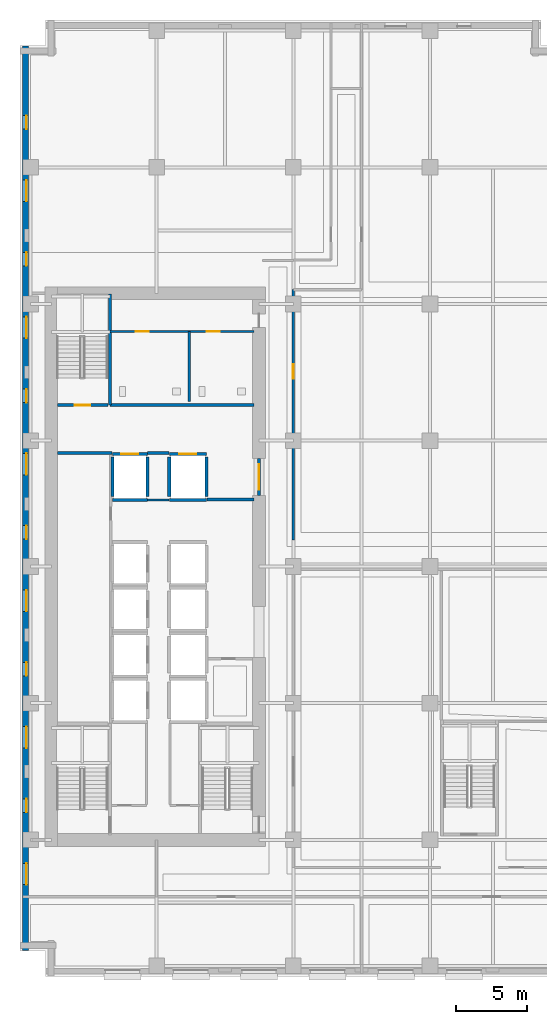
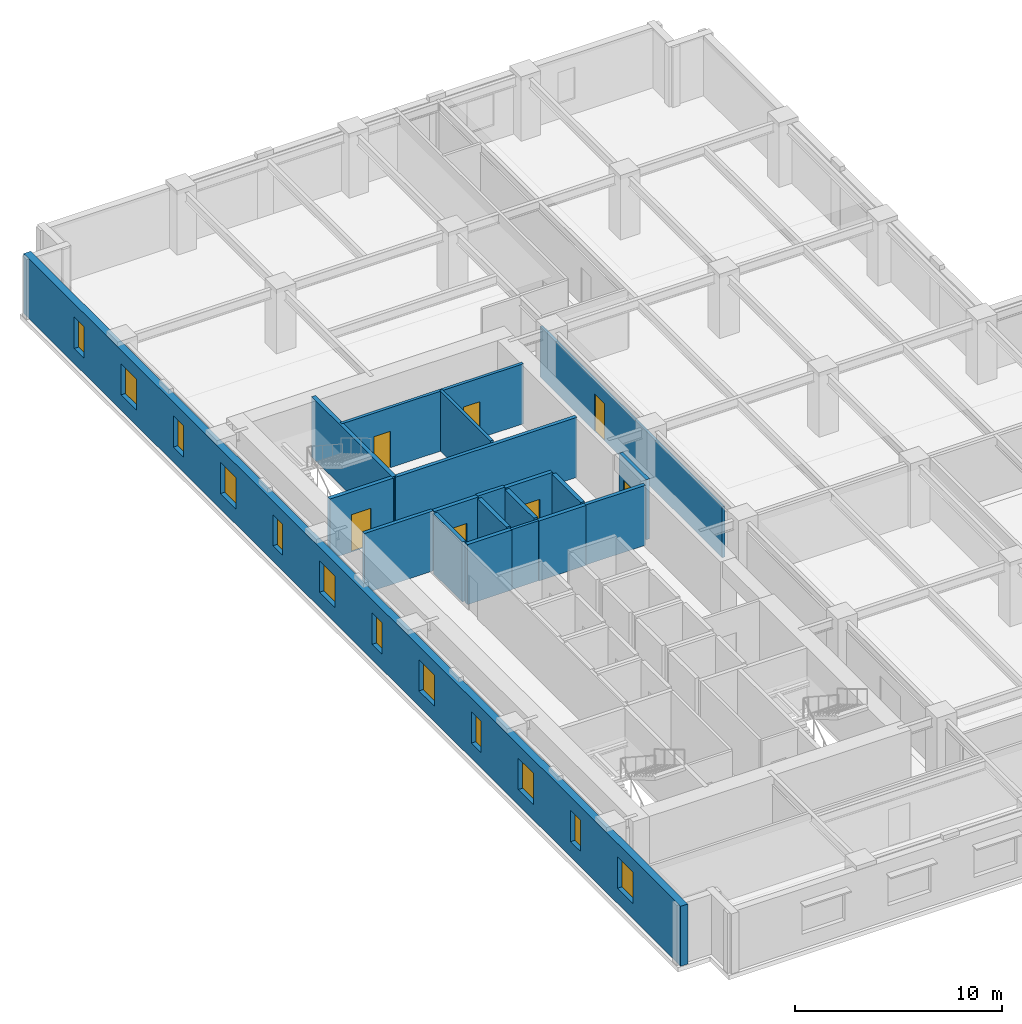
# One storey, part 6 of 14: 20 walls, 12 windows, 7 doors, 19 openings.
"""IFC4 building model written with IfcOpenShell, lengths in metres."""

from ifc_helpers import new_model, si_unit, direction, frame, frame_2d, origin, place, context, subcontext, project, spatial, rectangle, extrude, material, layer, layer_set, type_object, element, fill, save


model = new_model("IFC4")

# Units and contexts
model_context = context("Model", 3, precision=1e-05, world=origin(), true_north=direction((0.0, 1.0)))
body_context = subcontext(model_context, "Body", "Model", "MODEL_VIEW")
ifc_project = project(units=[si_unit("LENGTHUNIT", "METRE"), si_unit("AREAUNIT", "SQUARE_METRE"), si_unit("VOLUMEUNIT", "CUBIC_METRE"), si_unit("PLANEANGLEUNIT", "RADIAN"), si_unit("MASSUNIT", "GRAM", prefix="KILO")], contexts=[model_context])

# Site, building, storey
site_placement = place(None, origin())
site = spatial("IfcSite", under=ifc_project, at=site_placement, CompositionType="ELEMENT")
building_placement = place(site_placement, origin())
building = spatial("IfcBuilding", under=site, at=building_placement, Name="Norrvale University Quadrangle", CompositionType="ELEMENT")
storey_placement = place(building_placement, frame((0.0, 0.0, 73.60009765625)))
storey = spatial("IfcBuildingStorey", under=building, at=storey_placement, Name="L18", CompositionType="ELEMENT", Elevation=73.60009765625)

# Wall
ifc_material_1 = material(Name="Fire-Rated Gypsum Stud Partition")
ifc_layer_1 = layer(ifc_material_1, 0.14990234375, Name="Fire-Rated Gypsum Stud Partition")
ifc_layer_set_1 = layer_set([ifc_layer_1], Name="Fire-Rated Gypsum Stud Partition")
wall_type_1 = type_object("IfcWallType", Name="Wall Gypsum Corridor 150", PredefinedType="PARTITIONING", material=ifc_layer_set_1)
wall_1_placement = place(storey_placement, frame((8.965087890625, 33.489990234375, 0.0), z_axis=(0.0, 0.0, 1.0), x_axis=(1.0, 0.0, 0.0)))
element("IfcWall", 1, at=wall_1_placement, inside=storey, type_object=wall_type_1, Name="Interior Partition WL-L18-LL3", PredefinedType="PARTITIONING", context=body_context, shape_type="SweptSolid", body=[
    extrude(rectangle(XDim=1.52001953125, YDim=0.14990234375, at=frame_2d((0.760009765625, 0.0))), origin(), (0.0, 0.0, 1.0), 3.539794921875),
])

# Wall, opening, door
wall_2_placement = place(storey_placement, frame((19.199951171875, 30.64990234375, 0.0), z_axis=(0.0, 0.0, 1.0), x_axis=(0.0, 1.0, 0.0)))
wall_2 = element("IfcWall", 2, at=wall_2_placement, inside=storey, type_object=wall_type_1, Name="Interior Partition WL-L18-MNECW", PredefinedType="PARTITIONING", context=body_context, shape_type="SweptSolid", body=[
    extrude(rectangle(XDim=17.60009765625, YDim=0.14990234375, at=frame_2d((8.800048828125, 0.0))), origin(), (0.0, 0.0, 1.0), 2.995849609375),
])
opening_1_placement = place(wall_2_placement, frame((11.35009765625, 0.0, 0.0)))
opening_1 = element("IfcOpeningElement", 3, at=opening_1_placement, cuts=wall_2, Name="Opening D04", PredefinedType="OPENING", context=body_context, shape_type="SweptSolid", body=[
    extrude(rectangle(XDim=1.0, YDim=2.199951171875, at=frame_2d((0.5, 1.10009765625))), frame((0.0, 0.0869140625, 0.0), z_axis=(0.0, -1.0, 0.0), x_axis=(1.0, 0.0, 0.0)), (0.0, 0.0, 1.0), 0.173828125),
])
ifc_material_2 = material(Name="Solid-Core Oak Fire Door", Category="wood")
door_type_1 = type_object("IfcDoorType", Name="Door Corridor 1000x2200", OperationType="NOTDEFINED", PredefinedType="DOOR", material=ifc_material_2)
door_1_placement = place(opening_1_placement, origin())
door_1 = element("IfcDoor", 4, at=door_1_placement, inside=storey, type_object=door_type_1, Name="Door Corridor 1000x2200 DR-L18-MNE01", OperationType="SINGLE_SWING_RIGHT", OverallHeight=2.199951171875, OverallWidth=1.0, PredefinedType="DOOR", context=body_context, shape_type="SweptSolid", body=[
    extrude(rectangle(XDim=1.0, YDim=2.199951171875, at=frame_2d((0.5, 1.10009765625))), frame((0.0, 0.02490234375, 0.0), z_axis=(0.0, -1.0, 0.0), x_axis=(1.0, 0.0, 0.0)), (0.0, 0.0, 1.0), 0.050048828125),
])
fill(opening_1, door_1)

# Wall, openings, doors
ifc_material_3 = material(Name="Sanitary Chase Gypsum Partition")
ifc_layer_2 = layer(ifc_material_3, 0.1650390625, Name="Sanitary Chase Gypsum Partition")
ifc_layer_set_2 = layer_set([ifc_layer_2], Name="Sanitary Chase Gypsum Partition")
wall_type_2 = type_object("IfcWallType", Name="Wall Gypsum Sanitary 165", PredefinedType="PLUMBINGWALL", material=ifc_layer_set_2)
wall_3_placement = place(storey_placement, frame((6.320068359375, 45.320068359375, 0.0), z_axis=(0.0, 0.0, 1.0), x_axis=(1.0, 0.0, 0.0)))
wall_3 = element("IfcWall", 5, at=wall_3_placement, inside=storey, type_object=wall_type_2, Name="Interior Partition WL-L18-WCN", PredefinedType="PLUMBINGWALL", context=body_context, shape_type="SweptSolid", body=[
    extrude(rectangle(XDim=10.1298828125, YDim=0.1650390625, at=frame_2d((5.06494140625, 0.0))), origin(), (0.0, 0.0, 1.0), 3.539794921875),
])
opening_2_placement = place(wall_3_placement, frame((1.800048828125, 0.0, 0.0)))
opening_2 = element("IfcOpeningElement", 6, at=opening_2_placement, cuts=wall_3, Name="Opening D08", PredefinedType="OPENING", context=body_context, shape_type="SweptSolid", body=[
    extrude(rectangle(XDim=0.919921875, YDim=2.14990234375, at=frame_2d((0.4599609375, 1.074951171875))), frame((0.0, 0.094482421875, 0.0), z_axis=(0.0, -1.0, 0.0), x_axis=(1.0, 0.0, 0.0)), (0.0, 0.0, 1.0), 0.18896484375),
])
opening_3_placement = place(wall_3_placement, frame((6.800048828125, 0.0, 0.0)))
opening_3 = element("IfcOpeningElement", 7, at=opening_3_placement, cuts=wall_3, Name="Opening D08", PredefinedType="OPENING", context=body_context, shape_type="SweptSolid", body=[
    extrude(rectangle(XDim=0.919921875, YDim=2.14990234375, at=frame_2d((0.4599609375, 1.074951171875))), frame((0.0, 0.094482421875, 0.0), z_axis=(0.0, -1.0, 0.0), x_axis=(1.0, 0.0, 0.0)), (0.0, 0.0, 1.0), 0.18896484375),
])
ifc_material_4 = material(Name="Laminate Washroom Door", Category="wood")
door_type_2 = type_object("IfcDoorType", Name="Door Washroom 920x2150", OperationType="NOTDEFINED", PredefinedType="DOOR", material=ifc_material_4)
door_2_placement = place(opening_2_placement, origin())
door_2 = element("IfcDoor", 8, at=door_2_placement, inside=storey, type_object=door_type_2, Name="Door Washroom 920x2150 DR-L18-WC1", OperationType="SINGLE_SWING_LEFT", OverallHeight=2.14990234375, OverallWidth=0.919921875, PredefinedType="DOOR", context=body_context, shape_type="SweptSolid", body=[
    extrude(rectangle(XDim=0.919921875, YDim=2.14990234375, at=frame_2d((0.4599609375, 1.074951171875))), frame((0.0, 0.02490234375, 0.0), z_axis=(0.0, -1.0, 0.0), x_axis=(1.0, 0.0, 0.0)), (0.0, 0.0, 1.0), 0.050048828125),
])
fill(opening_2, door_2)
door_3_placement = place(opening_3_placement, origin())
door_3 = element("IfcDoor", 9, at=door_3_placement, inside=storey, type_object=door_type_2, Name="Door Washroom 920x2150 DR-L18-WC2", OperationType="SINGLE_SWING_RIGHT", OverallHeight=2.14990234375, OverallWidth=0.919921875, PredefinedType="DOOR", context=body_context, shape_type="SweptSolid", body=[
    extrude(rectangle(XDim=0.919921875, YDim=2.14990234375, at=frame_2d((0.4599609375, 1.074951171875))), frame((0.0, 0.02490234375, 0.0), z_axis=(0.0, -1.0, 0.0), x_axis=(1.0, 0.0, 0.0)), (0.0, 0.0, 1.0), 0.050048828125),
])
fill(opening_3, door_3)

# Walls
wall_4_placement = place(storey_placement, frame((11.89990234375, 40.39990234375, 0.0), z_axis=(0.0, 0.0, 1.0), x_axis=(0.0, 1.0, 0.0)))
element("IfcWall", 10, at=wall_4_placement, inside=storey, type_object=wall_type_2, Name="Interior Partition WL-L18-WCM1", PredefinedType="PLUMBINGWALL", context=body_context, shape_type="SweptSolid", body=[
    extrude(rectangle(XDim=4.920166015625, YDim=0.1650390625, at=frame_2d((2.4599609375, 0.0))), origin(), (0.0, 0.0, 1.0), 3.539794921875),
])
ifc_material_5 = material(Name="Concrete Blockwork 20 MPa Rated Wall", Category="masonry")
ifc_layer_3 = layer(ifc_material_5, 0.199951171875, Name="Concrete Blockwork 20 MPa Rated Wall")
ifc_layer_set_3 = layer_set([ifc_layer_3], Name="Concrete Blockwork 20 MPa Rated Wall")
wall_type_3 = type_object("IfcWallType", Name="Wall Lobby 200", PredefinedType="SOLIDWALL", material=ifc_layer_set_3)
wall_5_placement = place(storey_placement, frame((2.64990234375, 36.780029296875, 0.0), z_axis=(0.0, 0.0, 1.0), x_axis=(1.0, 0.0, 0.0)))
element("IfcWall", 11, at=wall_5_placement, inside=storey, type_object=wall_type_3, Name="Interior Partition WL-L18-FF1", PredefinedType="SOLIDWALL", context=body_context, shape_type="SweptSolid", body=[
    extrude(rectangle(XDim=3.830078125, YDim=0.199951171875, at=frame_2d((1.9150390625, 0.0))), origin(), (0.0, 0.0, 1.0), 3.539794921875),
])
wall_6_placement = place(storey_placement, frame((8.969970703125, 36.780029296875, 0.0), z_axis=(0.0, 0.0, 1.0), x_axis=(1.0, 0.0, 0.0)))
element("IfcWall", 12, at=wall_6_placement, inside=storey, type_object=wall_type_3, Name="Interior Partition WL-L18-FF2", PredefinedType="SOLIDWALL", context=body_context, shape_type="SweptSolid", body=[
    extrude(rectangle(XDim=1.510009765625, YDim=0.199951171875, at=frame_2d((0.7548828125, 0.0))), origin(), (0.0, 0.0, 1.0), 3.539794921875),
])
wall_7_placement = place(storey_placement, frame((13.1201171875, 33.52001953125, 0.0), z_axis=(0.0, 0.0, 1.0), x_axis=(1.0, 0.0, 0.0)))
element("IfcWall", 13, at=wall_7_placement, inside=storey, type_object=wall_type_3, Name="Interior Partition WL-L18-FF3", PredefinedType="SOLIDWALL", context=body_context, shape_type="SweptSolid", body=[
    extrude(rectangle(XDim=3.329833984375, YDim=0.199951171875, at=frame_2d((1.6650390625, 0.0))), origin(), (0.0, 0.0, 1.0), 3.539794921875),
])
wall_8_placement = place(storey_placement, frame((6.320068359375, 40.139892578125, 0.0), z_axis=(0.0, 0.0, 1.0), x_axis=(1.0, 0.0, 0.0)))
element("IfcWall", 14, at=wall_8_placement, inside=storey, type_object=wall_type_3, Name="Interior Partition WL-L18-FF4", PredefinedType="SOLIDWALL", context=body_context, shape_type="SweptSolid", body=[
    extrude(rectangle(XDim=10.1298828125, YDim=0.199951171875, at=frame_2d((5.06494140625, 0.0))), origin(), (0.0, 0.0, 1.0), 3.539794921875),
])

# Wall, opening, door
wall_9_placement = place(storey_placement, frame((16.800048828125, 33.800048828125, 0.0), z_axis=(0.0, 0.0, 1.0), x_axis=(0.0, 1.0, 0.0)))
wall_9 = element("IfcWall", 15, at=wall_9_placement, inside=storey, type_object=wall_type_3, Name="Interior Partition WL-L18-FFP", PredefinedType="SOLIDWALL", context=body_context, shape_type="SweptSolid", body=[
    extrude(rectangle(XDim=2.599853515625, YDim=0.199951171875, at=frame_2d((1.2998046875, 0.0))), origin(), (0.0, 0.0, 1.0), 3.539794921875),
])
opening_4_placement = place(wall_9_placement, frame((0.39990234375, 0.0, 0.0)))
opening_4 = element("IfcOpeningElement", 16, at=opening_4_placement, cuts=wall_9, Name="Opening D03", PredefinedType="OPENING", context=body_context, shape_type="SweptSolid", body=[
    extrude(rectangle(XDim=1.800048828125, YDim=2.199951171875, at=frame_2d((0.89990234375, 1.10009765625))), frame((0.0, 0.112060546875, 0.0), z_axis=(0.0, -1.0, 0.0), x_axis=(1.0, 0.0, 0.0)), (0.0, 0.0, 1.0), 0.223876953125),
])
ifc_material_6 = material(Name="Hollow Steel 350W Fire Door", Category="steel")
door_type_3 = type_object("IfcDoorType", Name="Door Fire Lobby 1800x2200", OperationType="DOUBLE_DOOR_SINGLE_SWING", PredefinedType="DOOR", material=ifc_material_6)
door_4_placement = place(opening_4_placement, origin())
door_4 = element("IfcDoor", 17, at=door_4_placement, inside=storey, type_object=door_type_3, Name="Door Fire Lobby 1800x2200 DR-L18-FFP", OperationType="DOUBLE_DOOR_SINGLE_SWING", OverallHeight=2.199951171875, OverallWidth=1.800048828125, PredefinedType="DOOR", context=body_context, shape_type="SweptSolid", body=[
    extrude(rectangle(XDim=1.800048828125, YDim=2.199951171875, at=frame_2d((0.89990234375, 1.10009765625))), frame((0.0, 0.02490234375, 0.0), z_axis=(0.0, -1.0, 0.0), x_axis=(1.0, 0.0, 0.0)), (0.0, 0.0, 1.0), 0.050048828125),
])
fill(opening_4, door_4)

# Wall, openings, windows
ifc_material_7 = material(Name="Red Manganese Brick Masonry", Category="masonry")
ifc_layer_4 = layer(ifc_material_7, 0.39990234375, Name="Red Manganese Brick Masonry")
ifc_layer_set_4 = layer_set([ifc_layer_4], Name="Red Manganese Brick Masonry")
wall_type_4 = type_object("IfcWallType", Name="Wall Red Brick 400", PredefinedType="SOLIDWALL", material=ifc_layer_set_4)
wall_10_placement = place(storey_placement, frame((0.3798828125, 65.360107421875, 0.0), z_axis=(0.0, 0.0, 1.0), x_axis=(0.0, -1.0, 0.0)))
wall_10 = element("IfcWall", 18, at=wall_10_placement, inside=storey, type_object=wall_type_4, Name="Exterior Brick Facade Wall L18-14.1", PredefinedType="SOLIDWALL", context=body_context, shape_type="SweptSolid", body=[
    extrude(rectangle(XDim=63.52001953125, YDim=0.39990234375, at=frame_2d((31.760009765625, 0.0))), origin(), (0.0, 0.0, 1.0), 3.539794921875),
])
opening_5_placement = place(wall_10_placement, frame((4.885009765625, 0.0, 0.89990234375)))
opening_5 = element("IfcOpeningElement", 19, at=opening_5_placement, cuts=wall_10, Name="Opening W04", PredefinedType="OPENING", context=body_context, shape_type="SweptSolid", body=[
    extrude(rectangle(XDim=0.949951171875, YDim=1.85009765625, at=frame_2d((0.47509765625, 0.925048828125))), frame((0.0, 0.2119140625, 0.0), z_axis=(0.0, -1.0, 0.0), x_axis=(1.0, 0.0, 0.0)), (0.0, 0.0, 1.0), 0.423828125),
])
opening_6_placement = place(wall_10_placement, frame((9.409912109375, 0.0, 0.89990234375)))
opening_6 = element("IfcOpeningElement", 20, at=opening_6_placement, cuts=wall_10, Name="Opening W03", PredefinedType="OPENING", context=body_context, shape_type="SweptSolid", body=[
    extrude(rectangle(XDim=1.5, YDim=1.85009765625, at=frame_2d((0.75, 0.925048828125))), frame((0.0, 0.2119140625, 0.0), z_axis=(0.0, -1.0, 0.0), x_axis=(1.0, 0.0, 0.0)), (0.0, 0.0, 1.0), 0.423828125),
])
opening_7_placement = place(wall_10_placement, frame((14.485107421875, 0.0, 0.89990234375)))
opening_7 = element("IfcOpeningElement", 21, at=opening_7_placement, cuts=wall_10, Name="Opening W04", PredefinedType="OPENING", context=body_context, shape_type="SweptSolid", body=[
    extrude(rectangle(XDim=0.949951171875, YDim=1.85009765625, at=frame_2d((0.47509765625, 0.925048828125))), frame((0.0, 0.2119140625, 0.0), z_axis=(0.0, -1.0, 0.0), x_axis=(1.0, 0.0, 0.0)), (0.0, 0.0, 1.0), 0.423828125),
])
opening_8_placement = place(wall_10_placement, frame((19.010009765625, 0.0, 0.89990234375)))
opening_8 = element("IfcOpeningElement", 22, at=opening_8_placement, cuts=wall_10, Name="Opening W03", PredefinedType="OPENING", context=body_context, shape_type="SweptSolid", body=[
    extrude(rectangle(XDim=1.5, YDim=1.85009765625, at=frame_2d((0.75, 0.925048828125))), frame((0.0, 0.2119140625, 0.0), z_axis=(0.0, -1.0, 0.0), x_axis=(1.0, 0.0, 0.0)), (0.0, 0.0, 1.0), 0.423828125),
])
opening_9_placement = place(wall_10_placement, frame((24.0849609375, 0.0, 0.89990234375)))
opening_9 = element("IfcOpeningElement", 23, at=opening_9_placement, cuts=wall_10, Name="Opening W04", PredefinedType="OPENING", context=body_context, shape_type="SweptSolid", body=[
    extrude(rectangle(XDim=0.949951171875, YDim=1.85009765625, at=frame_2d((0.47509765625, 0.925048828125))), frame((0.0, 0.2119140625, 0.0), z_axis=(0.0, -1.0, 0.0), x_axis=(1.0, 0.0, 0.0)), (0.0, 0.0, 1.0), 0.423828125),
])
opening_10_placement = place(wall_10_placement, frame((28.610107421875, 0.0, 0.89990234375)))
opening_10 = element("IfcOpeningElement", 24, at=opening_10_placement, cuts=wall_10, Name="Opening W03", PredefinedType="OPENING", context=body_context, shape_type="SweptSolid", body=[
    extrude(rectangle(XDim=1.5, YDim=1.85009765625, at=frame_2d((0.75, 0.925048828125))), frame((0.0, 0.2119140625, 0.0), z_axis=(0.0, -1.0, 0.0), x_axis=(1.0, 0.0, 0.0)), (0.0, 0.0, 1.0), 0.423828125),
])
opening_11_placement = place(wall_10_placement, frame((33.68505859375, 0.0, 0.89990234375)))
opening_11 = element("IfcOpeningElement", 25, at=opening_11_placement, cuts=wall_10, Name="Opening W04", PredefinedType="OPENING", context=body_context, shape_type="SweptSolid", body=[
    extrude(rectangle(XDim=0.949951171875, YDim=1.85009765625, at=frame_2d((0.47509765625, 0.925048828125))), frame((0.0, 0.2119140625, 0.0), z_axis=(0.0, -1.0, 0.0), x_axis=(1.0, 0.0, 0.0)), (0.0, 0.0, 1.0), 0.423828125),
])
opening_12_placement = place(wall_10_placement, frame((38.2099609375, 0.0, 0.89990234375)))
opening_12 = element("IfcOpeningElement", 26, at=opening_12_placement, cuts=wall_10, Name="Opening W03", PredefinedType="OPENING", context=body_context, shape_type="SweptSolid", body=[
    extrude(rectangle(XDim=1.5, YDim=1.85009765625, at=frame_2d((0.75, 0.925048828125))), frame((0.0, 0.2119140625, 0.0), z_axis=(0.0, -1.0, 0.0), x_axis=(1.0, 0.0, 0.0)), (0.0, 0.0, 1.0), 0.423828125),
])
opening_13_placement = place(wall_10_placement, frame((43.284912109375, 0.0, 0.89990234375)))
opening_13 = element("IfcOpeningElement", 27, at=opening_13_placement, cuts=wall_10, Name="Opening W04", PredefinedType="OPENING", context=body_context, shape_type="SweptSolid", body=[
    extrude(rectangle(XDim=0.949951171875, YDim=1.85009765625, at=frame_2d((0.47509765625, 0.925048828125))), frame((0.0, 0.2119140625, 0.0), z_axis=(0.0, -1.0, 0.0), x_axis=(1.0, 0.0, 0.0)), (0.0, 0.0, 1.0), 0.423828125),
])
opening_14_placement = place(wall_10_placement, frame((47.81005859375, 0.0, 0.89990234375)))
opening_14 = element("IfcOpeningElement", 28, at=opening_14_placement, cuts=wall_10, Name="Opening W03", PredefinedType="OPENING", context=body_context, shape_type="SweptSolid", body=[
    extrude(rectangle(XDim=1.5, YDim=1.85009765625, at=frame_2d((0.75, 0.925048828125))), frame((0.0, 0.2119140625, 0.0), z_axis=(0.0, -1.0, 0.0), x_axis=(1.0, 0.0, 0.0)), (0.0, 0.0, 1.0), 0.423828125),
])
opening_15_placement = place(wall_10_placement, frame((52.885009765625, 0.0, 0.89990234375)))
opening_15 = element("IfcOpeningElement", 29, at=opening_15_placement, cuts=wall_10, Name="Opening W04", PredefinedType="OPENING", context=body_context, shape_type="SweptSolid", body=[
    extrude(rectangle(XDim=0.949951171875, YDim=1.85009765625, at=frame_2d((0.47509765625, 0.925048828125))), frame((0.0, 0.2119140625, 0.0), z_axis=(0.0, -1.0, 0.0), x_axis=(1.0, 0.0, 0.0)), (0.0, 0.0, 1.0), 0.423828125),
])
opening_16_placement = place(wall_10_placement, frame((57.409912109375, 0.0, 0.89990234375)))
opening_16 = element("IfcOpeningElement", 30, at=opening_16_placement, cuts=wall_10, Name="Opening W03", PredefinedType="OPENING", context=body_context, shape_type="SweptSolid", body=[
    extrude(rectangle(XDim=1.5, YDim=1.85009765625, at=frame_2d((0.75, 0.925048828125))), frame((0.0, 0.2119140625, 0.0), z_axis=(0.0, -1.0, 0.0), x_axis=(1.0, 0.0, 0.0)), (0.0, 0.0, 1.0), 0.423828125),
])
ifc_material_8 = material(Name="Triple Low-E Argon Glazing", Category="glass")
window_type_1 = type_object("IfcWindowType", Name="Window Narrow Pier 950x2300", PartitioningType="SINGLE_PANEL", PredefinedType="WINDOW", material=ifc_material_8)
window_1_placement = place(opening_5_placement, origin())
window_1 = element("IfcWindow", 31, at=window_1_placement, inside=storey, type_object=window_type_1, Name="Window Narrow Pier 950x2300 WIN-L18-E14-1-01", OverallHeight=1.85009765625, OverallWidth=0.949951171875, PartitioningType="SINGLE_PANEL", PredefinedType="WINDOW", context=body_context, shape_type="SweptSolid", body=[
    extrude(rectangle(XDim=0.949951171875, YDim=1.85009765625, at=frame_2d((0.47509765625, 0.925048828125))), frame((0.0, 0.110107421875, 0.0), z_axis=(0.0, -1.0, 0.0), x_axis=(1.0, 0.0, 0.0)), (0.0, 0.0, 1.0), 0.06005859375),
])
fill(opening_5, window_1)
window_2_placement = place(opening_7_placement, origin())
window_2 = element("IfcWindow", 32, at=window_2_placement, inside=storey, type_object=window_type_1, Name="Window Narrow Pier 950x2300 WIN-L18-E14-1-03", OverallHeight=1.85009765625, OverallWidth=0.949951171875, PartitioningType="SINGLE_PANEL", PredefinedType="WINDOW", context=body_context, shape_type="SweptSolid", body=[
    extrude(rectangle(XDim=0.949951171875, YDim=1.85009765625, at=frame_2d((0.47509765625, 0.925048828125))), frame((0.0, 0.110107421875, 0.0), z_axis=(0.0, -1.0, 0.0), x_axis=(1.0, 0.0, 0.0)), (0.0, 0.0, 1.0), 0.06005859375),
])
fill(opening_7, window_2)
window_3_placement = place(opening_9_placement, origin())
window_3 = element("IfcWindow", 33, at=window_3_placement, inside=storey, type_object=window_type_1, Name="Window Narrow Pier 950x2300 WIN-L18-E14-1-05", OverallHeight=1.85009765625, OverallWidth=0.949951171875, PartitioningType="SINGLE_PANEL", PredefinedType="WINDOW", context=body_context, shape_type="SweptSolid", body=[
    extrude(rectangle(XDim=0.949951171875, YDim=1.85009765625, at=frame_2d((0.47509765625, 0.925048828125))), frame((0.0, 0.110107421875, 0.0), z_axis=(0.0, -1.0, 0.0), x_axis=(1.0, 0.0, 0.0)), (0.0, 0.0, 1.0), 0.06005859375),
])
fill(opening_9, window_3)
window_4_placement = place(opening_11_placement, origin())
window_4 = element("IfcWindow", 34, at=window_4_placement, inside=storey, type_object=window_type_1, Name="Window Narrow Pier 950x2300 WIN-L18-E14-1-07", OverallHeight=1.85009765625, OverallWidth=0.949951171875, PartitioningType="SINGLE_PANEL", PredefinedType="WINDOW", context=body_context, shape_type="SweptSolid", body=[
    extrude(rectangle(XDim=0.949951171875, YDim=1.85009765625, at=frame_2d((0.47509765625, 0.925048828125))), frame((0.0, 0.110107421875, 0.0), z_axis=(0.0, -1.0, 0.0), x_axis=(1.0, 0.0, 0.0)), (0.0, 0.0, 1.0), 0.06005859375),
])
fill(opening_11, window_4)
window_5_placement = place(opening_13_placement, origin())
window_5 = element("IfcWindow", 35, at=window_5_placement, inside=storey, type_object=window_type_1, Name="Window Narrow Pier 950x2300 WIN-L18-E14-1-09", OverallHeight=1.85009765625, OverallWidth=0.949951171875, PartitioningType="SINGLE_PANEL", PredefinedType="WINDOW", context=body_context, shape_type="SweptSolid", body=[
    extrude(rectangle(XDim=0.949951171875, YDim=1.85009765625, at=frame_2d((0.47509765625, 0.925048828125))), frame((0.0, 0.110107421875, 0.0), z_axis=(0.0, -1.0, 0.0), x_axis=(1.0, 0.0, 0.0)), (0.0, 0.0, 1.0), 0.06005859375),
])
fill(opening_13, window_5)
window_6_placement = place(opening_15_placement, origin())
window_6 = element("IfcWindow", 36, at=window_6_placement, inside=storey, type_object=window_type_1, Name="Window Narrow Pier 950x2300 WIN-L18-E14-1-11", OverallHeight=1.85009765625, OverallWidth=0.949951171875, PartitioningType="SINGLE_PANEL", PredefinedType="WINDOW", context=body_context, shape_type="SweptSolid", body=[
    extrude(rectangle(XDim=0.949951171875, YDim=1.85009765625, at=frame_2d((0.47509765625, 0.925048828125))), frame((0.0, 0.110107421875, 0.0), z_axis=(0.0, -1.0, 0.0), x_axis=(1.0, 0.0, 0.0)), (0.0, 0.0, 1.0), 0.06005859375),
])
fill(opening_15, window_6)
window_type_2 = type_object("IfcWindowType", Name="Window Studio 1500x2300", PartitioningType="DOUBLE_PANEL_VERTICAL", PredefinedType="WINDOW", material=ifc_material_8)
window_7_placement = place(opening_6_placement, origin())
window_7 = element("IfcWindow", 37, at=window_7_placement, inside=storey, type_object=window_type_2, Name="Window Studio 1500x2300 WIN-L18-E14-1-02", OverallHeight=1.85009765625, OverallWidth=1.5, PartitioningType="DOUBLE_PANEL_VERTICAL", PredefinedType="WINDOW", context=body_context, shape_type="SweptSolid", body=[
    extrude(rectangle(XDim=1.5, YDim=1.85009765625, at=frame_2d((0.75, 0.925048828125))), frame((0.0, 0.110107421875, 0.0), z_axis=(0.0, -1.0, 0.0), x_axis=(1.0, 0.0, 0.0)), (0.0, 0.0, 1.0), 0.06005859375),
])
fill(opening_6, window_7)
window_8_placement = place(opening_8_placement, origin())
window_8 = element("IfcWindow", 38, at=window_8_placement, inside=storey, type_object=window_type_2, Name="Window Studio 1500x2300 WIN-L18-E14-1-04", OverallHeight=1.85009765625, OverallWidth=1.5, PartitioningType="DOUBLE_PANEL_VERTICAL", PredefinedType="WINDOW", context=body_context, shape_type="SweptSolid", body=[
    extrude(rectangle(XDim=1.5, YDim=1.85009765625, at=frame_2d((0.75, 0.925048828125))), frame((0.0, 0.110107421875, 0.0), z_axis=(0.0, -1.0, 0.0), x_axis=(1.0, 0.0, 0.0)), (0.0, 0.0, 1.0), 0.06005859375),
])
fill(opening_8, window_8)
window_9_placement = place(opening_10_placement, origin())
window_9 = element("IfcWindow", 39, at=window_9_placement, inside=storey, type_object=window_type_2, Name="Window Studio 1500x2300 WIN-L18-E14-1-06", OverallHeight=1.85009765625, OverallWidth=1.5, PartitioningType="DOUBLE_PANEL_VERTICAL", PredefinedType="WINDOW", context=body_context, shape_type="SweptSolid", body=[
    extrude(rectangle(XDim=1.5, YDim=1.85009765625, at=frame_2d((0.75, 0.925048828125))), frame((0.0, 0.110107421875, 0.0), z_axis=(0.0, -1.0, 0.0), x_axis=(1.0, 0.0, 0.0)), (0.0, 0.0, 1.0), 0.06005859375),
])
fill(opening_10, window_9)
window_10_placement = place(opening_12_placement, origin())
window_10 = element("IfcWindow", 40, at=window_10_placement, inside=storey, type_object=window_type_2, Name="Window Studio 1500x2300 WIN-L18-E14-1-08", OverallHeight=1.85009765625, OverallWidth=1.5, PartitioningType="DOUBLE_PANEL_VERTICAL", PredefinedType="WINDOW", context=body_context, shape_type="SweptSolid", body=[
    extrude(rectangle(XDim=1.5, YDim=1.85009765625, at=frame_2d((0.75, 0.925048828125))), frame((0.0, 0.110107421875, 0.0), z_axis=(0.0, -1.0, 0.0), x_axis=(1.0, 0.0, 0.0)), (0.0, 0.0, 1.0), 0.06005859375),
])
fill(opening_12, window_10)
window_11_placement = place(opening_14_placement, origin())
window_11 = element("IfcWindow", 41, at=window_11_placement, inside=storey, type_object=window_type_2, Name="Window Studio 1500x2300 WIN-L18-E14-1-10", OverallHeight=1.85009765625, OverallWidth=1.5, PartitioningType="DOUBLE_PANEL_VERTICAL", PredefinedType="WINDOW", context=body_context, shape_type="SweptSolid", body=[
    extrude(rectangle(XDim=1.5, YDim=1.85009765625, at=frame_2d((0.75, 0.925048828125))), frame((0.0, 0.110107421875, 0.0), z_axis=(0.0, -1.0, 0.0), x_axis=(1.0, 0.0, 0.0)), (0.0, 0.0, 1.0), 0.06005859375),
])
fill(opening_14, window_11)
window_12_placement = place(opening_16_placement, origin())
window_12 = element("IfcWindow", 42, at=window_12_placement, inside=storey, type_object=window_type_2, Name="Window Studio 1500x2300 WIN-L18-E14-1-12", OverallHeight=1.85009765625, OverallWidth=1.5, PartitioningType="DOUBLE_PANEL_VERTICAL", PredefinedType="WINDOW", context=body_context, shape_type="SweptSolid", body=[
    extrude(rectangle(XDim=1.5, YDim=1.85009765625, at=frame_2d((0.75, 0.925048828125))), frame((0.0, 0.110107421875, 0.0), z_axis=(0.0, -1.0, 0.0), x_axis=(1.0, 0.0, 0.0)), (0.0, 0.0, 1.0), 0.06005859375),
])
fill(opening_16, window_12)

# Wall, opening, door
ifc_material_9 = material(Name="Concrete Blockwork 20 MPa Fire Shaft", Category="masonry")
ifc_layer_5 = layer(ifc_material_9, 0.219970703125, Name="Concrete Blockwork 20 MPa Fire Shaft")
ifc_layer_set_5 = layer_set([ifc_layer_5], Name="Concrete Blockwork 20 MPa Fire Shaft")
wall_type_5 = type_object("IfcWallType", Name="Wall Shaft 220", PredefinedType="SOLIDWALL", material=ifc_layer_set_5)
wall_11_placement = place(storey_placement, frame((2.64990234375, 40.139892578125, 0.0), z_axis=(0.0, 0.0, 1.0), x_axis=(1.0, 0.0, 0.0)))
wall_11 = element("IfcWall", 43, at=wall_11_placement, inside=storey, type_object=wall_type_5, Name="Stair ST-02 South Shaft Wall L18", PredefinedType="SOLIDWALL", context=body_context, shape_type="SweptSolid", body=[
    extrude(rectangle(XDim=3.550048828125, YDim=0.219970703125, at=frame_2d((1.77490234375, 0.0))), origin(), (0.0, 0.0, 1.0), 3.539794921875),
])
opening_17_placement = place(wall_11_placement, frame((1.199951171875, 0.0, 0.0)))
opening_17 = element("IfcOpeningElement", 44, at=opening_17_placement, cuts=wall_11, Name="Opening D02", PredefinedType="OPENING", context=body_context, shape_type="SweptSolid", body=[
    extrude(rectangle(XDim=1.10009765625, YDim=2.199951171875, at=frame_2d((0.550048828125, 1.10009765625))), frame((0.0, 0.1220703125, 0.0), z_axis=(0.0, -1.0, 0.0), x_axis=(1.0, 0.0, 0.0)), (0.0, 0.0, 1.0), 0.243896484375),
])
door_type_4 = type_object("IfcDoorType", Name="Door Stair Exit 1100x2200", OperationType="NOTDEFINED", PredefinedType="DOOR", material=ifc_material_6)
door_5_placement = place(opening_17_placement, origin())
door_5 = element("IfcDoor", 45, at=door_5_placement, inside=storey, type_object=door_type_4, Name="Door Stair Exit 1100x2200 DR-L18-ST02", OperationType="SINGLE_SWING_LEFT", OverallHeight=2.199951171875, OverallWidth=1.10009765625, PredefinedType="DOOR", context=body_context, shape_type="SweptSolid", body=[
    extrude(rectangle(XDim=1.10009765625, YDim=2.199951171875, at=frame_2d((0.550048828125, 1.10009765625))), frame((0.0, 0.02490234375, 0.0), z_axis=(0.0, -1.0, 0.0), x_axis=(1.0, 0.0, 0.0)), (0.0, 0.0, 1.0), 0.050048828125),
])
fill(opening_17, door_5)

# Walls
wall_12_placement = place(storey_placement, frame((6.31005859375, 40.139892578125, 0.0), z_axis=(0.0, 0.0, 1.0), x_axis=(0.0, 1.0, 0.0)))
element("IfcWall", 46, at=wall_12_placement, inside=storey, type_object=wall_type_5, Name="Stair ST-02 East Shaft Wall L18", PredefinedType="SOLIDWALL", context=body_context, shape_type="SweptSolid", body=[
    extrude(rectangle(XDim=7.81005859375, YDim=0.219970703125, at=frame_2d((3.905029296875, 0.0))), origin(), (0.0, 0.0, 1.0), 3.539794921875),
])
for number, where, z_axis, x_axis, name in (
    (47, (6.489990234375, 33.7099609375, 0.0), (0.0, 0.0, 1.0), (0.0, 1.0, 0.0), "Hoistway FFL-01 West Wall L18"),
    (48, (8.9599609375, 33.7099609375, 0.0), (0.0, 0.0, 1.0), (0.0, 1.0, 0.0), "Hoistway FFL-01 East Wall L18"),
):
    element("IfcWall", number, at=place(storey_placement, frame(where, z_axis=z_axis, x_axis=x_axis)), inside=storey, type_object=wall_type_5, Name=name, PredefinedType="SOLIDWALL", context=body_context, shape_type="SweptSolid", body=[
        extrude(rectangle(XDim=2.780029296875, YDim=0.219970703125, at=frame_2d((1.39013671875, 0.0))), origin(), (0.0, 0.0, 1.0), 3.539794921875),
    ])
wall_13_placement = place(storey_placement, frame((6.489990234375, 33.489990234375, 0.0), z_axis=(0.0, 0.0, 1.0), x_axis=(1.0, 0.0, 0.0)))
element("IfcWall", 49, at=wall_13_placement, inside=storey, type_object=wall_type_5, Name="Hoistway FFL-01 South Wall L18", PredefinedType="SOLIDWALL", context=body_context, shape_type="SweptSolid", body=[
    extrude(rectangle(XDim=2.469970703125, YDim=0.219970703125, at=frame_2d((1.23486328125, 0.0))), origin(), (0.0, 0.0, 1.0), 3.539794921875),
])

# Wall, opening, door
wall_14_placement = place(storey_placement, frame((6.489990234375, 36.7099609375, 0.0), z_axis=(0.0, 0.0, 1.0), x_axis=(1.0, 0.0, 0.0)))
wall_14 = element("IfcWall", 50, at=wall_14_placement, inside=storey, type_object=wall_type_5, Name="Hoistway FFL-01 North Wall L18", PredefinedType="SOLIDWALL", context=body_context, shape_type="SweptSolid", body=[
    extrude(rectangle(XDim=2.469970703125, YDim=0.219970703125, at=frame_2d((1.23486328125, 0.0))), origin(), (0.0, 0.0, 1.0), 3.539794921875),
])
opening_18_placement = place(wall_14_placement, frame((0.635009765625, 0.0, 0.0)))
opening_18 = element("IfcOpeningElement", 51, at=opening_18_placement, cuts=wall_14, Name="Opening LD2", PredefinedType="OPENING", context=body_context, shape_type="SweptSolid", body=[
    extrude(rectangle(XDim=1.199951171875, YDim=2.199951171875, at=frame_2d((0.60009765625, 1.10009765625))), frame((0.0, 0.1220703125, 0.0), z_axis=(0.0, -1.0, 0.0), x_axis=(1.0, 0.0, 0.0)), (0.0, 0.0, 1.0), 0.243896484375),
])
ifc_material_10 = material(Name="Stainless Steel 316L Firefighter Lift Door", Category="steel")
door_type_5 = type_object("IfcDoorType", Name="Door Fire Lift 1200x2200", OperationType="DOUBLE_DOOR_SLIDING", PredefinedType="DOOR", material=ifc_material_10)
door_6_placement = place(opening_18_placement, origin())
door_6 = element("IfcDoor", 52, at=door_6_placement, inside=storey, type_object=door_type_5, Name="Elevator Landing Door DR-L18-FFL-01", OperationType="DOUBLE_DOOR_SLIDING", OverallHeight=2.199951171875, OverallWidth=1.199951171875, PredefinedType="DOOR", context=body_context, shape_type="SweptSolid", body=[
    extrude(rectangle(XDim=1.199951171875, YDim=2.199951171875, at=frame_2d((0.60009765625, 1.10009765625))), frame((0.0, 0.02490234375, 0.0), z_axis=(0.0, -1.0, 0.0), x_axis=(1.0, 0.0, 0.0)), (0.0, 0.0, 1.0), 0.050048828125),
])
fill(opening_18, door_6)

# Walls
for number, where, z_axis, x_axis, name in (
    (53, (10.489990234375, 33.7099609375, 0.0), (0.0, 0.0, 1.0), (0.0, 1.0, 0.0), "Hoistway FFL-02 West Wall L18"),
    (54, (13.110107421875, 33.7099609375, 0.0), (0.0, 0.0, 1.0), (0.0, 1.0, 0.0), "Hoistway FFL-02 East Wall L18"),
):
    element("IfcWall", number, at=place(storey_placement, frame(where, z_axis=z_axis, x_axis=x_axis)), inside=storey, type_object=wall_type_5, Name=name, PredefinedType="SOLIDWALL", context=body_context, shape_type="SweptSolid", body=[
        extrude(rectangle(XDim=2.780029296875, YDim=0.219970703125, at=frame_2d((1.39013671875, 0.0))), origin(), (0.0, 0.0, 1.0), 3.539794921875),
    ])
wall_15_placement = place(storey_placement, frame((10.489990234375, 33.489990234375, 0.0), z_axis=(0.0, 0.0, 1.0), x_axis=(1.0, 0.0, 0.0)))
element("IfcWall", 55, at=wall_15_placement, inside=storey, type_object=wall_type_5, Name="Hoistway FFL-02 South Wall L18", PredefinedType="SOLIDWALL", context=body_context, shape_type="SweptSolid", body=[
    extrude(rectangle(XDim=2.6201171875, YDim=0.219970703125, at=frame_2d((1.31005859375, 0.0))), origin(), (0.0, 0.0, 1.0), 3.539794921875),
])

# Wall, opening, door
wall_16_placement = place(storey_placement, frame((10.489990234375, 36.7099609375, 0.0), z_axis=(0.0, 0.0, 1.0), x_axis=(1.0, 0.0, 0.0)))
wall_16 = element("IfcWall", 56, at=wall_16_placement, inside=storey, type_object=wall_type_5, Name="Hoistway FFL-02 North Wall L18", PredefinedType="SOLIDWALL", context=body_context, shape_type="SweptSolid", body=[
    extrude(rectangle(XDim=2.6201171875, YDim=0.219970703125, at=frame_2d((1.31005859375, 0.0))), origin(), (0.0, 0.0, 1.0), 3.539794921875),
])
opening_19_placement = place(wall_16_placement, frame((0.7099609375, 0.0, 0.0)))
opening_19 = element("IfcOpeningElement", 57, at=opening_19_placement, cuts=wall_16, Name="Opening LD2", PredefinedType="OPENING", context=body_context, shape_type="SweptSolid", body=[
    extrude(rectangle(XDim=1.199951171875, YDim=2.199951171875, at=frame_2d((0.60009765625, 1.10009765625))), frame((0.0, 0.1220703125, 0.0), z_axis=(0.0, -1.0, 0.0), x_axis=(1.0, 0.0, 0.0)), (0.0, 0.0, 1.0), 0.243896484375),
])
door_7_placement = place(opening_19_placement, origin())
door_7 = element("IfcDoor", 58, at=door_7_placement, inside=storey, type_object=door_type_5, Name="Elevator Landing Door DR-L18-FFL-02", OperationType="DOUBLE_DOOR_SLIDING", OverallHeight=2.199951171875, OverallWidth=1.199951171875, PredefinedType="DOOR", context=body_context, shape_type="SweptSolid", body=[
    extrude(rectangle(XDim=1.199951171875, YDim=2.199951171875, at=frame_2d((0.60009765625, 1.10009765625))), frame((0.0, 0.02490234375, 0.0), z_axis=(0.0, -1.0, 0.0), x_axis=(1.0, 0.0, 0.0)), (0.0, 0.0, 1.0), 0.050048828125),
])
fill(opening_19, door_7)

save(model, "model.ifc")
